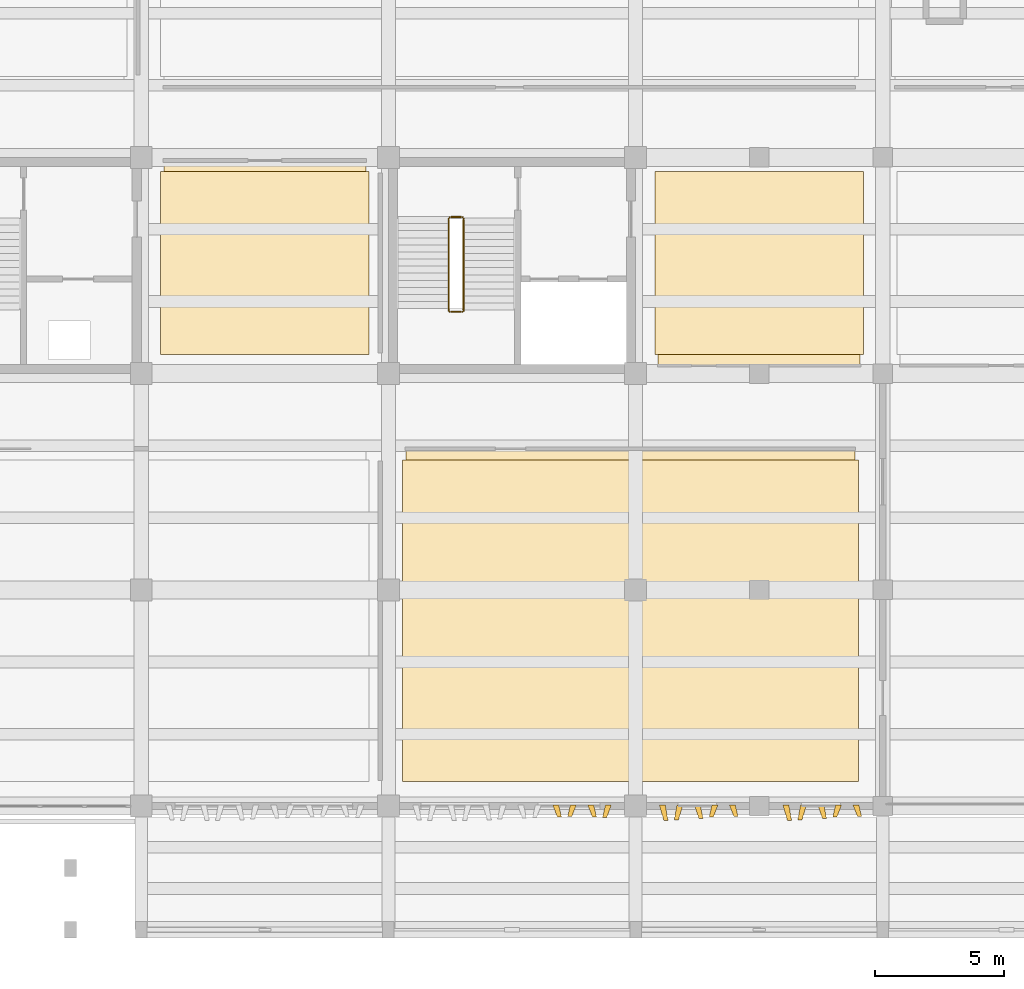
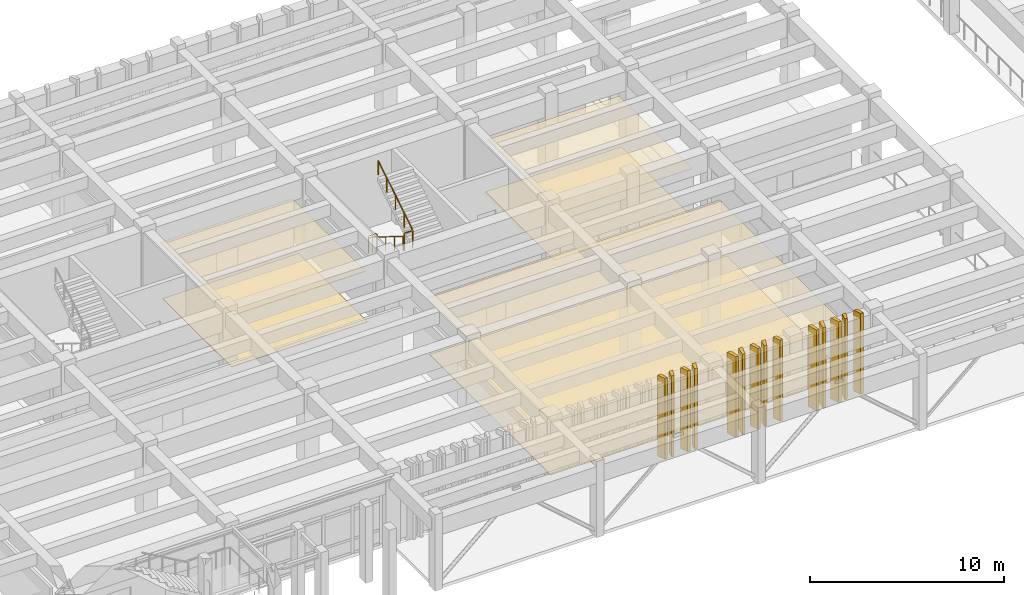
# One storey, part 78 of 86: 20 coverings, 4 railings.
"""IFC4 building model written with IfcOpenShell, lengths in metres."""

from ifc_helpers import new_model, si_unit, direction, frame, origin, origin_2d, place, context, subcontext, project, spatial, polyline, circle, outline, extrude, material, layer, layer_set, type_object, element, save


model = new_model("IFC4")

# Units and contexts
model_context = context("Model", 3, precision=1e-05, world=origin(), true_north=direction((0.0, 1.0)))
body_context = subcontext(model_context, "Body", "Model", "MODEL_VIEW")
ifc_project = project(units=[si_unit("LENGTHUNIT", "METRE"), si_unit("AREAUNIT", "SQUARE_METRE"), si_unit("VOLUMEUNIT", "CUBIC_METRE"), si_unit("PLANEANGLEUNIT", "RADIAN"), si_unit("MASSUNIT", "GRAM", prefix="KILO")], contexts=[model_context])

# Site, building, storey
site_placement = place(None, origin())
site = spatial("IfcSite", under=ifc_project, at=site_placement, CompositionType="ELEMENT")
building_placement = place(site_placement, origin())
building = spatial("IfcBuilding", under=site, at=building_placement, Name="Kolvemor Railside Polytechnic", CompositionType="ELEMENT")
storey_placement = place(building_placement, frame((0.0, 0.0, 5.39990234375)))
storey = spatial("IfcBuildingStorey", under=building, at=storey_placement, Name="L01", CompositionType="ELEMENT", Elevation=5.39990234375)

# Coverings
ifc_material_1 = material(Name="Perforated acoustic mineral-fibre and timber-slat ceiling", Category="wood")
ifc_layer_1 = layer(ifc_material_1, 0.02490234375, Name="COV-CEIL-1")
ifc_layer_set_1 = layer_set([ifc_layer_1], Name="Perforated acoustic mineral-fibre and timber-slat ceiling")
covering_type_1 = type_object("IfcCoveringType", Name="COV-CEIL-1", PredefinedType="CEILING", material=ifc_layer_set_1)
covering_1_placement = place(storey_placement, frame((0.0, 0.0, 3.235107421875)))
element("IfcCovering", 1, at=covering_1_placement, inside=storey, type_object=covering_type_1, Name="Foundation Engineering Design Studio Acoustic Ceiling", PredefinedType="CEILING", context=body_context, shape_type="SweptSolid", body=[
    extrude(outline(polyline([(106.280029296875, 5.75), (123.719970703125, 5.75), (123.719970703125, 18.679931640625), (106.280029296875, 18.679931640625), (106.280029296875, 5.75)])), origin(), (0.0, 0.0, 1.0), 0.02490234375),
])
covering_2_placement = place(storey_placement, frame((0.0, 0.0, 3.235107421875)))
element("IfcCovering", 2, at=covering_2_placement, inside=storey, type_object=covering_type_1, Name="Main Stack Public WC L01 Acoustic Ceiling", PredefinedType="CEILING", context=body_context, shape_type="SweptSolid", body=[
    extrude(outline(polyline([(116.080078125, 21.919921875), (123.919921875, 21.919921875), (123.919921875, 29.449951171875), (116.080078125, 29.449951171875), (116.080078125, 21.919921875)])), origin(), (0.0, 0.0, 1.0), 0.02490234375),
])
ifc_material_2 = material(Name="Perforated acoustic mineral-fibre and timber-slat ceiling", Category="wood")
ifc_layer_2 = layer(ifc_material_2, 0.0400390625, Name="COV-CEIL-4")
ifc_layer_set_2 = layer_set([ifc_layer_2], Name="Perforated acoustic mineral-fibre and timber-slat ceiling")
covering_type_2 = type_object("IfcCoveringType", Name="COV-CEIL-4", PredefinedType="CEILING", material=ifc_layer_set_2)
covering_3_placement = place(storey_placement, frame((0.0, 0.0, 3.22021484375)))
element("IfcCovering", 3, at=covering_3_placement, inside=storey, type_object=covering_type_2, Name="Control Systems Laboratory Acoustic Ceiling", PredefinedType="CEILING", context=body_context, shape_type="SweptSolid", body=[
    extrude(outline(polyline([(96.8798828125, 22.35009765625), (104.719970703125, 22.35009765625), (104.719970703125, 29.8798828125), (96.8798828125, 29.8798828125), (96.8798828125, 22.35009765625)])), origin(), (0.0, 0.0, 1.0), 0.039794921875),
])
ifc_material_3 = material(Name="Champagne-bronze PVDF-anodised marine aluminium 5052-H32", Category="aluminium")
ifc_layer_3 = layer(ifc_material_3, 0.179931640625, Name="COV-FIN-CHAMP")
ifc_layer_set_3 = layer_set([ifc_layer_3], Name="Champagne-bronze PVDF-anodised marine aluminium 5052-H32")
covering_type_3 = type_object("IfcCoveringType", Name="COV-FIN-CHAMP", PredefinedType="CLADDING", material=ifc_layer_set_3)
covering_4_placement = place(storey_placement, frame((0.0, 0.0, -0.289794921875)))
element("IfcCovering", 4, at=covering_4_placement, inside=storey, type_object=covering_type_3, Name="Pleated Solar Fin L01-0322", PredefinedType="CLADDING", context=body_context, shape_type="SweptSolid", body=[
    extrude(outline(polyline([(116.125, 4.8349609375), (116.35498046875, 4.8349609375), (116.4599609375, 4.237060546875), (116.300048828125, 4.237060546875), (116.125, 4.8349609375)])), origin(), (0.0, 0.0, 1.0), 5.08984375),
])
covering_5_placement = place(storey_placement, frame((0.0, 0.0, -0.289794921875)))
element("IfcCovering", 5, at=covering_5_placement, inside=storey, type_object=covering_type_3, Name="Pleated Solar Fin L01-0323", PredefinedType="CLADDING", context=body_context, shape_type="SweptSolid", body=[
    extrude(outline(polyline([(116.804931640625, 4.8349609375), (117.034912109375, 4.8349609375), (116.860107421875, 4.2529296875), (116.699951171875, 4.2529296875), (116.804931640625, 4.8349609375)])), origin(), (0.0, 0.0, 1.0), 5.08984375),
])
covering_6_placement = place(storey_placement, frame((0.0, 0.0, -0.289794921875)))
element("IfcCovering", 6, at=covering_6_placement, inside=storey, type_object=covering_type_3, Name="Pleated Solar Fin L01-0324", PredefinedType="CLADDING", context=body_context, shape_type="SweptSolid", body=[
    extrude(outline(polyline([(117.485107421875, 4.8349609375), (117.715087890625, 4.8349609375), (117.820068359375, 4.31494140625), (117.659912109375, 4.31494140625), (117.485107421875, 4.8349609375)])), origin(), (0.0, 0.0, 1.0), 5.08984375),
])
covering_7_placement = place(storey_placement, frame((0.0, 0.0, -0.289794921875)))
element("IfcCovering", 7, at=covering_7_placement, inside=storey, type_object=covering_type_3, Name="Pleated Solar Fin L01-0325", PredefinedType="CLADDING", context=body_context, shape_type="SweptSolid", body=[
    extrude(outline(polyline([(118.1650390625, 4.8349609375), (118.39501953125, 4.8349609375), (118.219970703125, 4.376953125), (118.06005859375, 4.376953125), (118.1650390625, 4.8349609375)])), origin(), (0.0, 0.0, 1.0), 5.08984375),
])
covering_8_placement = place(storey_placement, frame((0.0, 0.0, -0.289794921875)))
element("IfcCovering", 8, at=covering_8_placement, inside=storey, type_object=covering_type_3, Name="Pleated Solar Fin L01-0326", PredefinedType="CLADDING", context=body_context, shape_type="SweptSolid", body=[
    extrude(outline(polyline([(118.844970703125, 4.8349609375), (119.074951171875, 4.8349609375), (119.179931640625, 4.39306640625), (119.02001953125, 4.39306640625), (118.844970703125, 4.8349609375)])), origin(), (0.0, 0.0, 1.0), 5.08984375),
])
ifc_material_4 = material(Name="Sea-mist PVDF-anodised marine aluminium 5052-H32", Category="aluminium")
ifc_layer_4 = layer(ifc_material_4, 0.159912109375, Name="COV-FIN-MIST")
ifc_layer_set_4 = layer_set([ifc_layer_4], Name="Sea-mist PVDF-anodised marine aluminium 5052-H32")
covering_type_4 = type_object("IfcCoveringType", Name="COV-FIN-MIST", PredefinedType="CLADDING", material=ifc_layer_set_4)
covering_9_placement = place(storey_placement, frame((0.0, 0.0, -0.289794921875)))
element("IfcCovering", 9, at=covering_9_placement, inside=storey, type_object=covering_type_4, Name="Pleated Solar Fin L01-0318", PredefinedType="CLADDING", context=body_context, shape_type="SweptSolid", body=[
    extrude(outline(polyline([(111.985107421875, 4.8349609375), (112.215087890625, 4.8349609375), (112.320068359375, 4.386962890625), (112.159912109375, 4.386962890625), (111.985107421875, 4.8349609375)])), origin(), (0.0, 0.0, 1.0), 5.08984375),
])
covering_10_placement = place(storey_placement, frame((0.0, 0.0, -0.289794921875)))
element("IfcCovering", 10, at=covering_10_placement, inside=storey, type_object=covering_type_4, Name="Pleated Solar Fin L01-0319", PredefinedType="CLADDING", context=body_context, shape_type="SweptSolid", body=[
    extrude(outline(polyline([(112.6650390625, 4.8349609375), (112.89501953125, 4.8349609375), (112.719970703125, 4.39501953125), (112.56005859375, 4.39501953125), (112.6650390625, 4.8349609375)])), origin(), (0.0, 0.0, 1.0), 5.08984375),
])
covering_11_placement = place(storey_placement, frame((0.0, 0.0, -0.289794921875)))
element("IfcCovering", 11, at=covering_11_placement, inside=storey, type_object=covering_type_4, Name="Pleated Solar Fin L01-0320", PredefinedType="CLADDING", context=body_context, shape_type="SweptSolid", body=[
    extrude(outline(polyline([(113.344970703125, 4.8349609375), (113.574951171875, 4.8349609375), (113.679931640625, 4.387939453125), (113.52001953125, 4.387939453125), (113.344970703125, 4.8349609375)])), origin(), (0.0, 0.0, 1.0), 5.08984375),
])
covering_12_placement = place(storey_placement, frame((0.0, 0.0, -0.289794921875)))
element("IfcCovering", 12, at=covering_12_placement, inside=storey, type_object=covering_type_4, Name="Pleated Solar Fin L01-0321", PredefinedType="CLADDING", context=body_context, shape_type="SweptSolid", body=[
    extrude(outline(polyline([(114.02490234375, 4.8349609375), (114.2548828125, 4.8349609375), (114.080078125, 4.365966796875), (113.919921875, 4.365966796875), (114.02490234375, 4.8349609375)])), origin(), (0.0, 0.0, 1.0), 5.08984375),
])
covering_13_placement = place(storey_placement, frame((0.0, 0.0, -0.289794921875)))
element("IfcCovering", 13, at=covering_13_placement, inside=storey, type_object=covering_type_4, Name="Pleated Solar Fin L01-0327", PredefinedType="CLADDING", context=body_context, shape_type="SweptSolid", body=[
    extrude(outline(polyline([(120.925048828125, 4.8349609375), (121.155029296875, 4.8349609375), (121.260009765625, 4.237060546875), (121.10009765625, 4.237060546875), (120.925048828125, 4.8349609375)])), origin(), (0.0, 0.0, 1.0), 5.08984375),
])
covering_14_placement = place(storey_placement, frame((0.0, 0.0, -0.289794921875)))
element("IfcCovering", 14, at=covering_14_placement, inside=storey, type_object=covering_type_4, Name="Pleated Solar Fin L01-0328", PredefinedType="CLADDING", context=body_context, shape_type="SweptSolid", body=[
    extrude(outline(polyline([(121.60498046875, 4.8349609375), (121.8349609375, 4.8349609375), (121.659912109375, 4.2529296875), (121.5, 4.2529296875), (121.60498046875, 4.8349609375)])), origin(), (0.0, 0.0, 1.0), 5.08984375),
])
covering_15_placement = place(storey_placement, frame((0.0, 0.0, -0.289794921875)))
element("IfcCovering", 15, at=covering_15_placement, inside=storey, type_object=covering_type_4, Name="Pleated Solar Fin L01-0329", PredefinedType="CLADDING", context=body_context, shape_type="SweptSolid", body=[
    extrude(outline(polyline([(122.284912109375, 4.8349609375), (122.514892578125, 4.8349609375), (122.6201171875, 4.31494140625), (122.4599609375, 4.31494140625), (122.284912109375, 4.8349609375)])), origin(), (0.0, 0.0, 1.0), 5.08984375),
])
covering_16_placement = place(storey_placement, frame((0.0, 0.0, -0.289794921875)))
element("IfcCovering", 16, at=covering_16_placement, inside=storey, type_object=covering_type_4, Name="Pleated Solar Fin L01-0330", PredefinedType="CLADDING", context=body_context, shape_type="SweptSolid", body=[
    extrude(outline(polyline([(122.965087890625, 4.8349609375), (123.195068359375, 4.8349609375), (123.02001953125, 4.376953125), (122.860107421875, 4.376953125), (122.965087890625, 4.8349609375)])), origin(), (0.0, 0.0, 1.0), 5.08984375),
])
covering_17_placement = place(storey_placement, frame((0.0, 0.0, -0.289794921875)))
element("IfcCovering", 17, at=covering_17_placement, inside=storey, type_object=covering_type_4, Name="Pleated Solar Fin L01-0331", PredefinedType="CLADDING", context=body_context, shape_type="SweptSolid", body=[
    extrude(outline(polyline([(123.64501953125, 4.8349609375), (123.875, 4.8349609375), (123.97998046875, 4.39306640625), (123.820068359375, 4.39306640625), (123.64501953125, 4.8349609375)])), origin(), (0.0, 0.0, 1.0), 5.08984375),
])
ifc_material_5 = material(Name="Polished coral-aggregate terrazzo and laboratory epoxy flooring")
ifc_layer_5 = layer(ifc_material_5, 0.02001953125, Name="COV-FLR-1")
ifc_layer_set_5 = layer_set([ifc_layer_5], Name="Polished coral-aggregate terrazzo and laboratory epoxy flooring")
covering_type_5 = type_object("IfcCoveringType", Name="COV-FLR-1", PredefinedType="FLOORING", material=ifc_layer_set_5)
covering_18_placement = place(storey_placement, origin())
element("IfcCovering", 18, at=covering_18_placement, inside=storey, type_object=covering_type_5, Name="Foundation Engineering Design Studio Floor Finish", PredefinedType="FLOORING", context=body_context, shape_type="SweptSolid", body=[
    extrude(outline(polyline([(106.14990234375, 5.75), (123.85009765625, 5.75), (123.85009765625, 18.25), (106.14990234375, 18.25), (106.14990234375, 5.75)])), origin(), (0.0, 0.0, 1.0), 0.02001953125),
])
covering_19_placement = place(storey_placement, origin())
element("IfcCovering", 19, at=covering_19_placement, inside=storey, type_object=covering_type_5, Name="Main Stack Public WC L01 Floor Finish", PredefinedType="FLOORING", context=body_context, shape_type="SweptSolid", body=[
    extrude(outline(polyline([(115.949951171875, 22.35009765625), (124.050048828125, 22.35009765625), (124.050048828125, 29.449951171875), (115.949951171875, 29.449951171875), (115.949951171875, 22.35009765625)])), origin(), (0.0, 0.0, 1.0), 0.02001953125),
])
ifc_material_6 = material(Name="Polished coral-aggregate terrazzo and laboratory epoxy flooring")
ifc_layer_6 = layer(ifc_material_6, 0.034912109375, Name="COV-FLR-4")
ifc_layer_set_6 = layer_set([ifc_layer_6], Name="Polished coral-aggregate terrazzo and laboratory epoxy flooring")
covering_type_6 = type_object("IfcCoveringType", Name="COV-FLR-4", PredefinedType="FLOORING", material=ifc_layer_set_6)
covering_20_placement = place(storey_placement, origin())
element("IfcCovering", 20, at=covering_20_placement, inside=storey, type_object=covering_type_6, Name="Control Systems Laboratory Floor Finish", PredefinedType="FLOORING", context=body_context, shape_type="SweptSolid", body=[
    extrude(outline(polyline([(96.75, 22.35009765625), (104.85009765625, 22.35009765625), (104.85009765625, 29.449951171875), (96.75, 29.449951171875), (96.75, 22.35009765625)])), origin(), (0.0, 0.0, 1.0), 0.03515625),
])

# Railings
ifc_material_7 = material(Name="AISI 316 marine stainless-steel balustrade guard", Category="steel")
railing_type_1 = type_object("IfcRailingType", Name="RLG-GUARD-1120", PredefinedType="BALUSTRADE", material=ifc_material_7)
railing_1_placement = place(storey_placement, frame((107.97998046875, 27.679931640625, 0.0)))
element("IfcRailing", 21, at=railing_1_placement, inside=storey, type_object=railing_type_1, Name="ST-2 Floor Slot Guard L01", PredefinedType="BALUSTRADE", context=body_context, shape_type="SweptSolid", body=[
    extrude(circle(Radius=0.02392578125, at=origin_2d()), frame((0.054931640625, 0.0, 1.09619140625), z_axis=(1.0, 0.0, 0.0), x_axis=(0.0, 1.0, 0.0)), (0.0, 0.0, 1.0), 0.389892578125),
    extrude(circle(Radius=0.02099609375, at=origin_2d()), origin(), (0.0, 0.0, 1.0), 1.05712890625),
    extrude(circle(Radius=0.02099609375, at=origin_2d()), frame((0.25, 0.0, 0.0)), (0.0, 0.0, 1.0), 1.05712890625),
    extrude(circle(Radius=0.02099609375, at=origin_2d()), frame((0.5, 0.0, 0.0)), (0.0, 0.0, 1.0), 1.05712890625),
])
railing_2_placement = place(storey_placement, frame((107.97998046875, 24.0048828125, 2.400146484375)))
element("IfcRailing", 22, at=railing_2_placement, inside=storey, type_object=railing_type_1, Name="ST-2 Half-Landing Slot Guard L01", PredefinedType="BALUSTRADE", context=body_context, shape_type="SweptSolid", body=[
    extrude(circle(Radius=0.02392578125, at=origin_2d()), frame((0.054931640625, 0.0, 1.09619140625), z_axis=(1.0, 0.0, 0.0), x_axis=(0.0, 1.0, 0.0)), (0.0, 0.0, 1.0), 0.389892578125),
    extrude(circle(Radius=0.02099609375, at=origin_2d()), origin(), (0.0, 0.0, 1.0), 1.05712890625),
    extrude(circle(Radius=0.02099609375, at=origin_2d()), frame((0.5, 0.0, 0.0)), (0.0, 0.0, 1.0), 1.05712890625),
])
ifc_material_8 = material(Name="Brushed AISI 316 stainless-steel stair handrail", Category="steel")
railing_type_2 = type_object("IfcRailingType", Name="RLG-HANDRAIL-920", PredefinedType="HANDRAIL", material=ifc_material_8)
railing_3_placement = place(storey_placement, frame((107.93994140625, 27.6201171875, 0.171630859375)))
element("IfcRailing", 23, at=railing_3_placement, inside=storey, type_object=railing_type_2, Name="ST-2 Flight 1 Handrail L01", PredefinedType="HANDRAIL", context=body_context, shape_type="SweptSolid", body=[
    extrude(circle(Radius=0.02392578125, at=origin_2d()), frame((0.0, -0.046630859375, 0.925048828125), z_axis=(0.0, -0.848635802536, 0.528977574812), x_axis=(1.0, 0.0, 0.0)), (0.0, 0.0, 1.0), 4.102783203125),
    extrude(circle(Radius=0.02099609375, at=origin_2d()), origin(), (0.0, 0.0, 1.0), 0.85693359375),
    extrude(circle(Radius=0.02099609375, at=origin_2d()), frame((0.0, -0.893798828125, 0.55712890625)), (0.0, 0.0, 1.0), 0.85693359375),
    extrude(circle(Radius=0.02099609375, at=origin_2d()), frame((0.0, -1.78759765625, 1.1142578125)), (0.0, 0.0, 1.0), 0.85693359375),
    extrude(circle(Radius=0.02099609375, at=origin_2d()), frame((0.0, -2.681396484375, 1.67138671875)), (0.0, 0.0, 1.0), 0.85693359375),
    extrude(circle(Radius=0.02099609375, at=origin_2d()), frame((0.0, -3.5751953125, 2.228515625)), (0.0, 0.0, 1.0), 0.85693359375),
])
railing_4_placement = place(storey_placement, frame((108.52001953125, 24.044921875, 2.571533203125)))
element("IfcRailing", 24, at=railing_4_placement, inside=storey, type_object=railing_type_2, Name="ST-2 Flight 2 Handrail L01", PredefinedType="HANDRAIL", context=body_context, shape_type="SweptSolid", body=[
    extrude(circle(Radius=0.02392578125, at=origin_2d()), frame((0.0, 0.046630859375, 0.925048828125), z_axis=(0.0, 0.848635802536, 0.528977574812), x_axis=(-1.0, 0.0, 0.0)), (0.0, 0.0, 1.0), 4.102783203125),
    extrude(circle(Radius=0.02099609375, at=origin_2d()), origin(), (0.0, 0.0, 1.0), 0.85693359375),
    extrude(circle(Radius=0.02099609375, at=origin_2d()), frame((0.0, 0.893798828125, 0.55712890625)), (0.0, 0.0, 1.0), 0.85693359375),
    extrude(circle(Radius=0.02099609375, at=origin_2d()), frame((0.0, 1.78759765625, 1.1142578125)), (0.0, 0.0, 1.0), 0.85693359375),
    extrude(circle(Radius=0.02099609375, at=origin_2d()), frame((0.0, 2.681396484375, 1.67138671875)), (0.0, 0.0, 1.0), 0.85693359375),
    extrude(circle(Radius=0.02099609375, at=origin_2d()), frame((0.0, 3.5751953125, 2.228515625)), (0.0, 0.0, 1.0), 0.85693359375),
])

save(model, "model.ifc")
